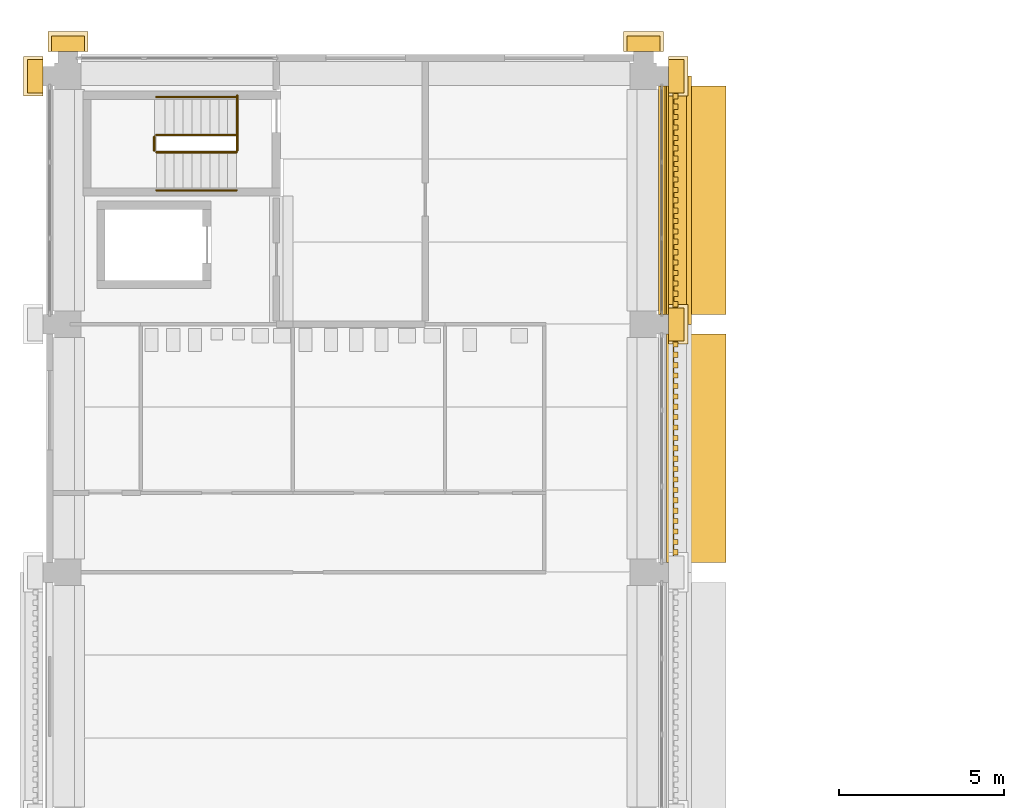
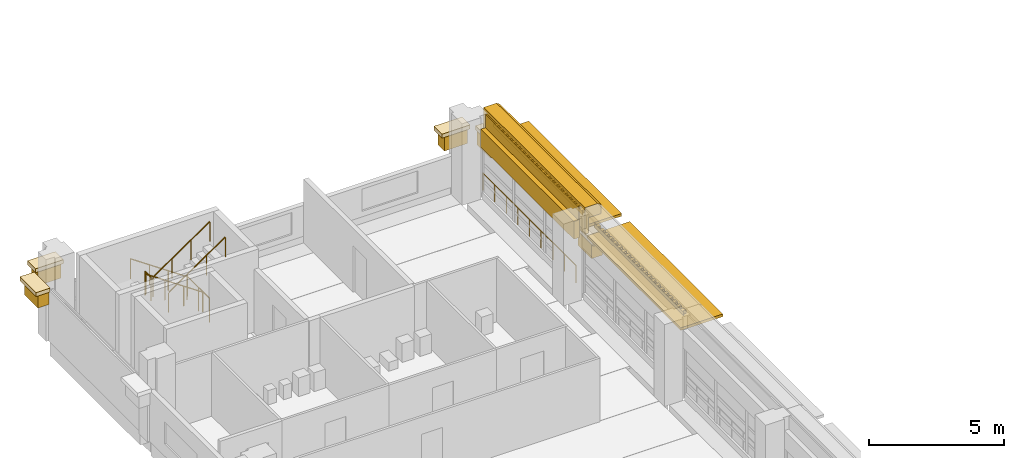
# One storey, part 52 of 71: 14 coverings, 7 railings, 2 shading devices.
"""IFC4 building model written with IfcOpenShell, lengths in metres."""

from ifc_helpers import new_model, si_unit, direction, frame, origin, origin_2d, place, context, subcontext, project, spatial, polyline, circle, outline, extrude, material, layer, layer_set, type_object, element, save


model = new_model("IFC4")

# Units and contexts
model_context = context("Model", 3, precision=1e-05, world=origin(), true_north=direction((0.0, 1.0)))
body_context = subcontext(model_context, "Body", "Model", "MODEL_VIEW")
ifc_project = project(units=[si_unit("LENGTHUNIT", "METRE"), si_unit("AREAUNIT", "SQUARE_METRE"), si_unit("VOLUMEUNIT", "CUBIC_METRE"), si_unit("PLANEANGLEUNIT", "RADIAN"), si_unit("MASSUNIT", "GRAM", prefix="KILO")], contexts=[model_context])

# Site, building, storey
site_placement = place(None, origin())
site = spatial("IfcSite", under=ifc_project, at=site_placement, CompositionType="ELEMENT")
building_placement = place(site_placement, origin())
building = spatial("IfcBuilding", under=site, at=building_placement, Name="Cour d'Honneur Mobility Palace", CompositionType="ELEMENT")
storey_placement = place(building_placement, frame((0.0, 0.0, 15.60009765625)))
storey = spatial("IfcBuildingStorey", under=building, at=storey_placement, Name="L04", CompositionType="ELEMENT", Elevation=15.60009765625)

# Railing
ifc_material_1 = material(Name="Painted steel", Category="steel")
railing_type_1 = type_object("IfcRailingType", Name="Balustrade", PredefinedType="BALUSTRADE", material=ifc_material_1)
railing_1_placement = place(storey_placement, frame((17.949951171875, 107.699951171875, 0.2998046875)))
element("IfcRailing", 1, at=railing_1_placement, inside=storey, type_object=railing_type_1, Name="Balustrade BAL-258", PredefinedType="BALUSTRADE", context=body_context, shape_type="SweptSolid", body=[
    extrude(circle(Radius=0.02392578125, at=origin_2d()), frame((0.0, 0.0, 0.77587890625), z_axis=(0.0, 1.0, 0.0), x_axis=(-1.0, 0.0, 0.0)), (0.0, 0.0, 1.0), 6.900146484375),
    extrude(circle(Radius=0.02099609375, at=origin_2d()), origin(), (0.0, 0.0, 1.0), 0.751953125),
    extrude(circle(Radius=0.02099609375, at=origin_2d()), frame((0.0, 0.862548828125, 0.0)), (0.0, 0.0, 1.0), 0.751953125),
    extrude(circle(Radius=0.02099609375, at=origin_2d()), frame((0.0, 1.72509765625, 0.0)), (0.0, 0.0, 1.0), 0.751953125),
    extrude(circle(Radius=0.02099609375, at=origin_2d()), frame((0.0, 2.587646484375, 0.0)), (0.0, 0.0, 1.0), 0.751953125),
    extrude(circle(Radius=0.02099609375, at=origin_2d()), frame((0.0, 3.4501953125, 0.0)), (0.0, 0.0, 1.0), 0.751953125),
    extrude(circle(Radius=0.02099609375, at=origin_2d()), frame((0.0, 4.3125, 0.0)), (0.0, 0.0, 1.0), 0.751953125),
    extrude(circle(Radius=0.02099609375, at=origin_2d()), frame((0.0, 5.175048828125, 0.0)), (0.0, 0.0, 1.0), 0.751953125),
    extrude(circle(Radius=0.02099609375, at=origin_2d()), frame((0.0, 6.03759765625, 0.0)), (0.0, 0.0, 1.0), 0.751953125),
    extrude(circle(Radius=0.02099609375, at=origin_2d()), frame((0.0, 6.900146484375, 0.0)), (0.0, 0.0, 1.0), 0.751953125),
])

# Coverings
ifc_material_2 = material(Name="Cast limestone", Category="masonry")
ifc_layer_1 = layer(ifc_material_2, 0.14990234375)
ifc_layer_set_1 = layer_set([ifc_layer_1], Name="Cast limestone")
covering_type_1 = type_object("IfcCoveringType", Name="Dentil course", PredefinedType="CLADDING", material=ifc_layer_set_1)
covering_1_placement = place(storey_placement, frame((0.0, 0.0, 3.14990234375)))
element("IfcCovering", 2, at=covering_1_placement, inside=storey, type_object=covering_type_1, Name="Dentil course DC-117", PredefinedType="CLADDING", context=body_context, shape_type="SweptSolid", body=[
    extrude(outline(polyline([(18.300048828125, 100.35009765625), (18.300048828125, 106.949951171875), (18.330078125, 106.949951171875), (18.330078125, 106.949951171875), (18.330078125, 106.871337890625), (18.449951171875, 106.871337890625), (18.449951171875, 106.71435546875), (18.330078125, 106.71435546875), (18.330078125, 106.6357421875), (18.330078125, 106.6357421875), (18.330078125, 106.55712890625), (18.449951171875, 106.55712890625), (18.449951171875, 106.39990234375), (18.330078125, 106.39990234375), (18.330078125, 106.321533203125), (18.330078125, 106.321533203125), (18.330078125, 106.242919921875), (18.449951171875, 106.242919921875), (18.449951171875, 106.085693359375), (18.330078125, 106.085693359375), (18.330078125, 106.007080078125), (18.330078125, 106.007080078125), (18.330078125, 105.928466796875), (18.449951171875, 105.928466796875), (18.449951171875, 105.771484375), (18.330078125, 105.771484375), (18.330078125, 105.69287109375), (18.330078125, 105.69287109375), (18.330078125, 105.6142578125), (18.449951171875, 105.6142578125), (18.449951171875, 105.45703125), (18.330078125, 105.45703125), (18.330078125, 105.378662109375), (18.330078125, 105.378662109375), (18.330078125, 105.300048828125), (18.449951171875, 105.300048828125), (18.449951171875, 105.142822265625), (18.330078125, 105.142822265625), (18.330078125, 105.064208984375), (18.330078125, 105.064208984375), (18.330078125, 104.985595703125), (18.449951171875, 104.985595703125), (18.449951171875, 104.82861328125), (18.330078125, 104.82861328125), (18.330078125, 104.75), (18.330078125, 104.75), (18.330078125, 104.67138671875), (18.449951171875, 104.67138671875), (18.449951171875, 104.514404296875), (18.330078125, 104.514404296875), (18.330078125, 104.435791015625), (18.330078125, 104.435791015625), (18.330078125, 104.357177734375), (18.449951171875, 104.357177734375), (18.449951171875, 104.199951171875), (18.330078125, 104.199951171875), (18.330078125, 104.121337890625), (18.330078125, 104.121337890625), (18.330078125, 104.04296875), (18.449951171875, 104.04296875), (18.449951171875, 103.8857421875), (18.330078125, 103.8857421875), (18.330078125, 103.80712890625), (18.330078125, 103.80712890625), (18.330078125, 103.728515625), (18.449951171875, 103.728515625), (18.449951171875, 103.571533203125), (18.330078125, 103.571533203125), (18.330078125, 103.492919921875), (18.330078125, 103.492919921875), (18.330078125, 103.414306640625), (18.449951171875, 103.414306640625), (18.449951171875, 103.257080078125), (18.330078125, 103.257080078125), (18.330078125, 103.178466796875), (18.330078125, 103.178466796875), (18.330078125, 103.10009765625), (18.449951171875, 103.10009765625), (18.449951171875, 102.94287109375), (18.330078125, 102.94287109375), (18.330078125, 102.8642578125), (18.330078125, 102.8642578125), (18.330078125, 102.78564453125), (18.449951171875, 102.78564453125), (18.449951171875, 102.628662109375), (18.330078125, 102.628662109375), (18.330078125, 102.550048828125), (18.330078125, 102.550048828125), (18.330078125, 102.471435546875), (18.449951171875, 102.471435546875), (18.449951171875, 102.314208984375), (18.330078125, 102.314208984375), (18.330078125, 102.235595703125), (18.330078125, 102.235595703125), (18.330078125, 102.1572265625), (18.449951171875, 102.1572265625), (18.449951171875, 102.0), (18.330078125, 102.0), (18.330078125, 101.92138671875), (18.330078125, 101.92138671875), (18.330078125, 101.8427734375), (18.449951171875, 101.8427734375), (18.449951171875, 101.685791015625), (18.330078125, 101.685791015625), (18.330078125, 101.607177734375), (18.330078125, 101.607177734375), (18.330078125, 101.528564453125), (18.449951171875, 101.528564453125), (18.449951171875, 101.371337890625), (18.330078125, 101.371337890625), (18.330078125, 101.29296875), (18.330078125, 101.29296875), (18.330078125, 101.21435546875), (18.449951171875, 101.21435546875), (18.449951171875, 101.05712890625), (18.330078125, 101.05712890625), (18.330078125, 100.978515625), (18.330078125, 100.978515625), (18.330078125, 100.89990234375), (18.449951171875, 100.89990234375), (18.449951171875, 100.742919921875), (18.330078125, 100.742919921875), (18.330078125, 100.664306640625), (18.330078125, 100.664306640625), (18.330078125, 100.585693359375), (18.449951171875, 100.585693359375), (18.449951171875, 100.428466796875), (18.330078125, 100.428466796875), (18.330078125, 100.35009765625), (18.300048828125, 100.35009765625)])), origin(), (0.0, 0.0, 1.0), 0.14990234375),
])
covering_2_placement = place(storey_placement, frame((0.0, 0.0, 3.14990234375)))
element("IfcCovering", 3, at=covering_2_placement, inside=storey, type_object=covering_type_1, Name="Dentil course DC-118", PredefinedType="CLADDING", context=body_context, shape_type="SweptSolid", body=[
    extrude(outline(polyline([(18.300048828125, 107.85009765625), (18.300048828125, 114.449951171875), (18.330078125, 114.449951171875), (18.330078125, 114.449951171875), (18.330078125, 114.371337890625), (18.449951171875, 114.371337890625), (18.449951171875, 114.21435546875), (18.330078125, 114.21435546875), (18.330078125, 114.1357421875), (18.330078125, 114.1357421875), (18.330078125, 114.05712890625), (18.449951171875, 114.05712890625), (18.449951171875, 113.89990234375), (18.330078125, 113.89990234375), (18.330078125, 113.821533203125), (18.330078125, 113.821533203125), (18.330078125, 113.742919921875), (18.449951171875, 113.742919921875), (18.449951171875, 113.585693359375), (18.330078125, 113.585693359375), (18.330078125, 113.507080078125), (18.330078125, 113.507080078125), (18.330078125, 113.428466796875), (18.449951171875, 113.428466796875), (18.449951171875, 113.271484375), (18.330078125, 113.271484375), (18.330078125, 113.19287109375), (18.330078125, 113.19287109375), (18.330078125, 113.1142578125), (18.449951171875, 113.1142578125), (18.449951171875, 112.95703125), (18.330078125, 112.95703125), (18.330078125, 112.878662109375), (18.330078125, 112.878662109375), (18.330078125, 112.800048828125), (18.449951171875, 112.800048828125), (18.449951171875, 112.642822265625), (18.330078125, 112.642822265625), (18.330078125, 112.564208984375), (18.330078125, 112.564208984375), (18.330078125, 112.485595703125), (18.449951171875, 112.485595703125), (18.449951171875, 112.32861328125), (18.330078125, 112.32861328125), (18.330078125, 112.25), (18.330078125, 112.25), (18.330078125, 112.17138671875), (18.449951171875, 112.17138671875), (18.449951171875, 112.014404296875), (18.330078125, 112.014404296875), (18.330078125, 111.935791015625), (18.330078125, 111.935791015625), (18.330078125, 111.857177734375), (18.449951171875, 111.857177734375), (18.449951171875, 111.699951171875), (18.330078125, 111.699951171875), (18.330078125, 111.621337890625), (18.330078125, 111.621337890625), (18.330078125, 111.54296875), (18.449951171875, 111.54296875), (18.449951171875, 111.3857421875), (18.330078125, 111.3857421875), (18.330078125, 111.30712890625), (18.330078125, 111.30712890625), (18.330078125, 111.228515625), (18.449951171875, 111.228515625), (18.449951171875, 111.071533203125), (18.330078125, 111.071533203125), (18.330078125, 110.992919921875), (18.330078125, 110.992919921875), (18.330078125, 110.914306640625), (18.449951171875, 110.914306640625), (18.449951171875, 110.757080078125), (18.330078125, 110.757080078125), (18.330078125, 110.678466796875), (18.330078125, 110.678466796875), (18.330078125, 110.60009765625), (18.449951171875, 110.60009765625), (18.449951171875, 110.44287109375), (18.330078125, 110.44287109375), (18.330078125, 110.3642578125), (18.330078125, 110.3642578125), (18.330078125, 110.28564453125), (18.449951171875, 110.28564453125), (18.449951171875, 110.128662109375), (18.330078125, 110.128662109375), (18.330078125, 110.050048828125), (18.330078125, 110.050048828125), (18.330078125, 109.971435546875), (18.449951171875, 109.971435546875), (18.449951171875, 109.814208984375), (18.330078125, 109.814208984375), (18.330078125, 109.735595703125), (18.330078125, 109.735595703125), (18.330078125, 109.6572265625), (18.449951171875, 109.6572265625), (18.449951171875, 109.5), (18.330078125, 109.5), (18.330078125, 109.42138671875), (18.330078125, 109.42138671875), (18.330078125, 109.3427734375), (18.449951171875, 109.3427734375), (18.449951171875, 109.185791015625), (18.330078125, 109.185791015625), (18.330078125, 109.107177734375), (18.330078125, 109.107177734375), (18.330078125, 109.028564453125), (18.449951171875, 109.028564453125), (18.449951171875, 108.871337890625), (18.330078125, 108.871337890625), (18.330078125, 108.79296875), (18.330078125, 108.79296875), (18.330078125, 108.71435546875), (18.449951171875, 108.71435546875), (18.449951171875, 108.55712890625), (18.330078125, 108.55712890625), (18.330078125, 108.478515625), (18.330078125, 108.478515625), (18.330078125, 108.39990234375), (18.449951171875, 108.39990234375), (18.449951171875, 108.242919921875), (18.330078125, 108.242919921875), (18.330078125, 108.164306640625), (18.330078125, 108.164306640625), (18.330078125, 108.085693359375), (18.449951171875, 108.085693359375), (18.449951171875, 107.928466796875), (18.330078125, 107.928466796875), (18.330078125, 107.85009765625), (18.300048828125, 107.85009765625)])), origin(), (0.0, 0.0, 1.0), 0.14990234375),
])

# Shading devices
ifc_material_3 = material(Name="Anodised aluminium", Category="aluminium")
ifc_layer_2 = layer(ifc_material_3, 0.1201171875)
ifc_layer_set_2 = layer_set([ifc_layer_2], Name="Anodised aluminium")
shading_device_type = type_object("IfcShadingDeviceType", Name="Eave sunshade 1800", PredefinedType="AWNING", material=ifc_layer_set_2)
shading_device_1_placement = place(storey_placement, frame((0.0, 0.0, 2.6298828125)))
element("IfcShadingDevice", 4, at=shading_device_1_placement, inside=storey, type_object=shading_device_type, Name="Sunshade E9.5 L04", PredefinedType="AWNING", context=body_context, shape_type="SweptSolid", body=[
    extrude(outline(polyline([(18.10009765625, 100.199951171875), (18.10009765625, 107.10009765625), (19.89990234375, 107.10009765625), (19.89990234375, 100.199951171875), (18.10009765625, 100.199951171875)])), origin(), (0.0, 0.0, 1.0), 0.1201171875),
])
shading_device_2_placement = place(storey_placement, frame((0.0, 0.0, 2.6298828125)))
element("IfcShadingDevice", 5, at=shading_device_2_placement, inside=storey, type_object=shading_device_type, Name="Sunshade E9.6 L04", PredefinedType="AWNING", context=body_context, shape_type="SweptSolid", body=[
    extrude(outline(polyline([(18.10009765625, 107.699951171875), (18.10009765625, 114.60009765625), (19.89990234375, 114.60009765625), (19.89990234375, 107.699951171875), (18.10009765625, 107.699951171875)])), origin(), (0.0, 0.0, 1.0), 0.1201171875),
])

# Covering
ifc_material_4 = material(Name="Cast limestone", Category="masonry")
ifc_layer_3 = layer(ifc_material_4, 0.699951171875)
ifc_layer_set_3 = layer_set([ifc_layer_3], Name="Cast limestone")
covering_type_2 = type_object("IfcCoveringType", Name="Entablature", PredefinedType="CLADDING", material=ifc_layer_set_3)
covering_3_placement = place(storey_placement, frame((18.14990234375, 107.39990234375, 2.599853515625), z_axis=(0.0, -1.0, 0.0), x_axis=(1.0, 0.0, 0.0)))
element("IfcCovering", 6, at=covering_3_placement, inside=storey, type_object=covering_type_2, Name="Entablature EN-118", PredefinedType="CLADDING", context=body_context, shape_type="SweptSolid", body=[
    extrude(outline(polyline([(0.0, 0.0), (0.150146484375, 0.0), (0.150146484375, 0.699951171875), (0.7001953125, 0.699951171875), (0.7001953125, 1.10009765625), (0.550048828125, 1.199951171875), (0.0, 1.199951171875), (0.0, 0.0)])), origin(), (0.0, 0.0, -1.0), 7.5),
])

# Railings
ifc_material_5 = material(Name="Painted steel", Category="steel")
railing_type_2 = type_object("IfcRailingType", Name="Guardrail 1100", PredefinedType="GUARDRAIL", material=ifc_material_5)
railing_2_placement = place(storey_placement, frame((5.1201171875, 112.64990234375, 0.0)))
element("IfcRailing", 7, at=railing_2_placement, inside=storey, type_object=railing_type_2, Name="Guard ST-NW1", PredefinedType="GUARDRAIL", context=body_context, shape_type="SweptSolid", body=[
    extrude(circle(Radius=0.02490234375, at=origin_2d()), frame((0.0, 0.0, 1.0751953125), z_axis=(0.0, 1.0, 0.0), x_axis=(-1.0, 0.0, 0.0)), (0.0, 0.0, 1.0), 1.675048828125),
    extrude(circle(Radius=0.02099609375, at=origin_2d()), origin(), (0.0, 0.0, 1.0), 1.050048828125),
    extrude(circle(Radius=0.02099609375, at=origin_2d()), frame((0.0, 0.83740234375, 0.0)), (0.0, 0.0, 1.0), 1.050048828125),
    extrude(circle(Radius=0.02099609375, at=origin_2d()), frame((0.0, 1.675048828125, 0.0)), (0.0, 0.0, 1.0), 1.050048828125),
])
railing_3_placement = place(storey_placement, frame((2.610107421875, 112.64990234375, 1.849853515625)))
element("IfcRailing", 8, at=railing_3_placement, inside=storey, type_object=railing_type_2, Name="Landing guard ST-NW1", PredefinedType="GUARDRAIL", context=body_context, shape_type="SweptSolid", body=[
    extrude(circle(Radius=0.02490234375, at=origin_2d()), frame((0.0, 0.0, 1.0751953125), z_axis=(0.0, 1.0, 0.0), x_axis=(-1.0, 0.0, 0.0)), (0.0, 0.0, 1.0), 0.425048828125),
    extrude(circle(Radius=0.02099609375, at=origin_2d()), origin(), (0.0, 0.0, 1.0), 1.050048828125),
    extrude(circle(Radius=0.02099609375, at=origin_2d()), frame((0.0, 0.425048828125, 0.0)), (0.0, 0.0, 1.0), 1.050048828125),
])
ifc_material_6 = material(Name="Stainless steel", Category="steel")
railing_type_3 = type_object("IfcRailingType", Name="Handrail round 50", PredefinedType="HANDRAIL", material=ifc_material_6)
for number, where, name in (
    (9, (5.10009765625, 114.27490234375, 0.184814453125), "Handrail ST-NW1"),
    (10, (5.10009765625, 113.125, 0.184814453125), "Handrail ST-NW1"),
):
    element("IfcRailing", number, at=place(storey_placement, frame(where)), inside=storey, type_object=railing_type_3, Name=name, PredefinedType="HANDRAIL", context=body_context, shape_type="SweptSolid", body=[
        extrude(circle(Radius=0.02490234375, at=origin_2d()), frame((0.0, 0.0, 0.89501953125), z_axis=(-0.824945253146, 0.0, 0.565212640793), x_axis=(0.0, -1.0, 0.0)), (0.0, 0.0, 1.0), 2.94580078125),
        extrude(circle(Radius=0.02099609375, at=origin_2d()), origin(), (0.0, 0.0, 1.0), 0.869873046875),
        extrude(circle(Radius=0.02099609375, at=origin_2d()), frame((-0.81005859375, 0.0, 0.554931640625)), (0.0, 0.0, 1.0), 0.869873046875),
        extrude(circle(Radius=0.02099609375, at=origin_2d()), frame((-1.6201171875, 0.0, 1.110107421875)), (0.0, 0.0, 1.0), 0.869873046875),
        extrude(circle(Radius=0.02099609375, at=origin_2d()), frame((-2.43017578125, 0.0, 1.6650390625)), (0.0, 0.0, 1.0), 0.869873046875),
    ])
for number, where, name in (
    (11, (2.669921875, 112.60009765625, 2.034912109375), "Handrail ST-NW1"),
    (12, (2.669921875, 111.449951171875, 2.034912109375), "Handrail ST-NW1"),
):
    element("IfcRailing", number, at=place(storey_placement, frame(where)), inside=storey, type_object=railing_type_3, Name=name, PredefinedType="HANDRAIL", context=body_context, shape_type="SweptSolid", body=[
        extrude(circle(Radius=0.02490234375, at=origin_2d()), frame((0.0, 0.0, 0.89501953125), z_axis=(0.824945253146, 0.0, 0.565212640793), x_axis=(0.0, 1.0, 0.0)), (0.0, 0.0, 1.0), 2.94580078125),
        extrude(circle(Radius=0.02099609375, at=origin_2d()), origin(), (0.0, 0.0, 1.0), 0.869873046875),
        extrude(circle(Radius=0.02099609375, at=origin_2d()), frame((0.81005859375, 0.0, 0.554931640625)), (0.0, 0.0, 1.0), 0.869873046875),
        extrude(circle(Radius=0.02099609375, at=origin_2d()), frame((1.6201171875, 0.0, 1.110107421875)), (0.0, 0.0, 1.0), 0.869873046875),
        extrude(circle(Radius=0.02099609375, at=origin_2d()), frame((2.43017578125, 0.0, 1.6650390625)), (0.0, 0.0, 1.0), 0.869873046875),
    ])

# Coverings
ifc_material_7 = material(Name="Cast limestone", Category="masonry")
ifc_layer_4 = layer(ifc_material_7, 0.1201171875)
ifc_layer_set_4 = layer_set([ifc_layer_4], Name="Cast limestone")
covering_type_3 = type_object("IfcCoveringType", Name="Pilaster capital", PredefinedType="CLADDING", material=ifc_layer_set_4)
covering_4_placement = place(storey_placement, frame((0.0, 0.0, 1.7998046875)))
element("IfcCovering", 13, at=covering_4_placement, inside=storey, type_object=covering_type_3, Name="Pilaster capital PK-171", PredefinedType="CLADDING", context=body_context, shape_type="SweptSolid", body=[
    extrude(outline(polyline([(18.14990234375, 106.89990234375), (18.14990234375, 107.89990234375), (18.6201171875, 107.89990234375), (18.6201171875, 106.89990234375), (18.14990234375, 106.89990234375)])), origin(), (0.0, 0.0, 1.0), 0.6201171875),
])
covering_5_placement = place(storey_placement, frame((0.0, 0.0, 2.419921875)))
element("IfcCovering", 14, at=covering_5_placement, inside=storey, type_object=covering_type_3, Name="Pilaster capital PK-172", PredefinedType="CLADDING", context=body_context, shape_type="SweptSolid", body=[
    extrude(outline(polyline([(18.14990234375, 106.800048828125), (18.14990234375, 108.0), (18.75, 108.0), (18.75, 106.800048828125), (18.14990234375, 106.800048828125)])), origin(), (0.0, 0.0, 1.0), 0.179931640625),
])
covering_6_placement = place(storey_placement, frame((0.0, 0.0, 1.7998046875)))
element("IfcCovering", 15, at=covering_6_placement, inside=storey, type_object=covering_type_3, Name="Pilaster capital PK-173", PredefinedType="CLADDING", context=body_context, shape_type="SweptSolid", body=[
    extrude(outline(polyline([(18.14990234375, 114.39990234375), (18.14990234375, 115.39990234375), (18.6201171875, 115.39990234375), (18.6201171875, 114.39990234375), (18.14990234375, 114.39990234375)])), origin(), (0.0, 0.0, 1.0), 0.6201171875),
])
covering_7_placement = place(storey_placement, frame((0.0, 0.0, 2.419921875)))
element("IfcCovering", 16, at=covering_7_placement, inside=storey, type_object=covering_type_3, Name="Pilaster capital PK-174", PredefinedType="CLADDING", context=body_context, shape_type="SweptSolid", body=[
    extrude(outline(polyline([(18.14990234375, 114.300048828125), (18.14990234375, 115.5), (18.75, 115.5), (18.75, 114.300048828125), (18.14990234375, 114.300048828125)])), origin(), (0.0, 0.0, 1.0), 0.179931640625),
])
covering_8_placement = place(storey_placement, frame((0.0, 0.0, 1.7998046875)))
element("IfcCovering", 17, at=covering_8_placement, inside=storey, type_object=covering_type_3, Name="Pilaster capital PK-175", PredefinedType="CLADDING", context=body_context, shape_type="SweptSolid", body=[
    extrude(outline(polyline([(17.89990234375, 115.64990234375), (16.89990234375, 115.64990234375), (16.89990234375, 116.1201171875), (17.89990234375, 116.1201171875), (17.89990234375, 115.64990234375)])), origin(), (0.0, 0.0, 1.0), 0.6201171875),
])
covering_9_placement = place(storey_placement, frame((0.0, 0.0, 2.419921875)))
element("IfcCovering", 18, at=covering_9_placement, inside=storey, type_object=covering_type_3, Name="Pilaster capital PK-176", PredefinedType="CLADDING", context=body_context, shape_type="SweptSolid", body=[
    extrude(outline(polyline([(18.0, 115.64990234375), (16.800048828125, 115.64990234375), (16.800048828125, 116.25), (18.0, 116.25), (18.0, 115.64990234375)])), origin(), (0.0, 0.0, 1.0), 0.179931640625),
])
covering_10_placement = place(storey_placement, frame((0.0, 0.0, 1.7998046875)))
element("IfcCovering", 19, at=covering_10_placement, inside=storey, type_object=covering_type_3, Name="Pilaster capital PK-177", PredefinedType="CLADDING", context=body_context, shape_type="SweptSolid", body=[
    extrude(outline(polyline([(0.5, 115.64990234375), (-0.5, 115.64990234375), (-0.5, 116.1201171875), (0.5, 116.1201171875), (0.5, 115.64990234375)])), origin(), (0.0, 0.0, 1.0), 0.6201171875),
])
covering_11_placement = place(storey_placement, frame((0.0, 0.0, 2.419921875)))
element("IfcCovering", 20, at=covering_11_placement, inside=storey, type_object=covering_type_3, Name="Pilaster capital PK-178", PredefinedType="CLADDING", context=body_context, shape_type="SweptSolid", body=[
    extrude(outline(polyline([(0.60009765625, 115.64990234375), (-0.60009765625, 115.64990234375), (-0.60009765625, 116.25), (0.60009765625, 116.25), (0.60009765625, 115.64990234375)])), origin(), (0.0, 0.0, 1.0), 0.179931640625),
])
covering_12_placement = place(storey_placement, frame((0.0, 0.0, 1.7998046875)))
element("IfcCovering", 21, at=covering_12_placement, inside=storey, type_object=covering_type_3, Name="Pilaster capital PK-179", PredefinedType="CLADDING", context=body_context, shape_type="SweptSolid", body=[
    extrude(outline(polyline([(-0.75, 115.39990234375), (-0.75, 114.39990234375), (-1.219970703125, 114.39990234375), (-1.219970703125, 115.39990234375), (-0.75, 115.39990234375)])), origin(), (0.0, 0.0, 1.0), 0.6201171875),
])
covering_13_placement = place(storey_placement, frame((0.0, 0.0, 2.419921875)))
element("IfcCovering", 22, at=covering_13_placement, inside=storey, type_object=covering_type_3, Name="Pilaster capital PK-180", PredefinedType="CLADDING", context=body_context, shape_type="SweptSolid", body=[
    extrude(outline(polyline([(-0.75, 115.5), (-0.75, 114.300048828125), (-1.35009765625, 114.300048828125), (-1.35009765625, 115.5), (-0.75, 115.5)])), origin(), (0.0, 0.0, 1.0), 0.179931640625),
])
ifc_material_8 = material(Name="Cast limestone", Category="masonry")
ifc_layer_5 = layer(ifc_material_8, 0.25)
ifc_layer_set_5 = layer_set([ifc_layer_5], Name="Cast limestone")
covering_type_4 = type_object("IfcCoveringType", Name="Spandrel cladding", PredefinedType="CLADDING", material=ifc_layer_set_5)
covering_14_placement = place(storey_placement, frame((17.85009765625, 107.699951171875, 2.2998046875), z_axis=(0.0, -1.0, 0.0), x_axis=(1.0, 0.0, 0.0)))
element("IfcCovering", 23, at=covering_14_placement, inside=storey, type_object=covering_type_4, Name="Spandrel cladding SK-337", PredefinedType="CLADDING", context=body_context, shape_type="SweptSolid", body=[
    extrude(outline(polyline([(0.0, 0.0), (0.25, 0.0), (0.25, 1.400146484375), (0.199951171875, 1.400146484375), (0.199951171875, 0.800048828125), (0.0, 0.800048828125), (0.0, 0.0)])), origin(), (0.0, 0.0, -1.0), 6.89990234375),
])

save(model, "model.ifc")
